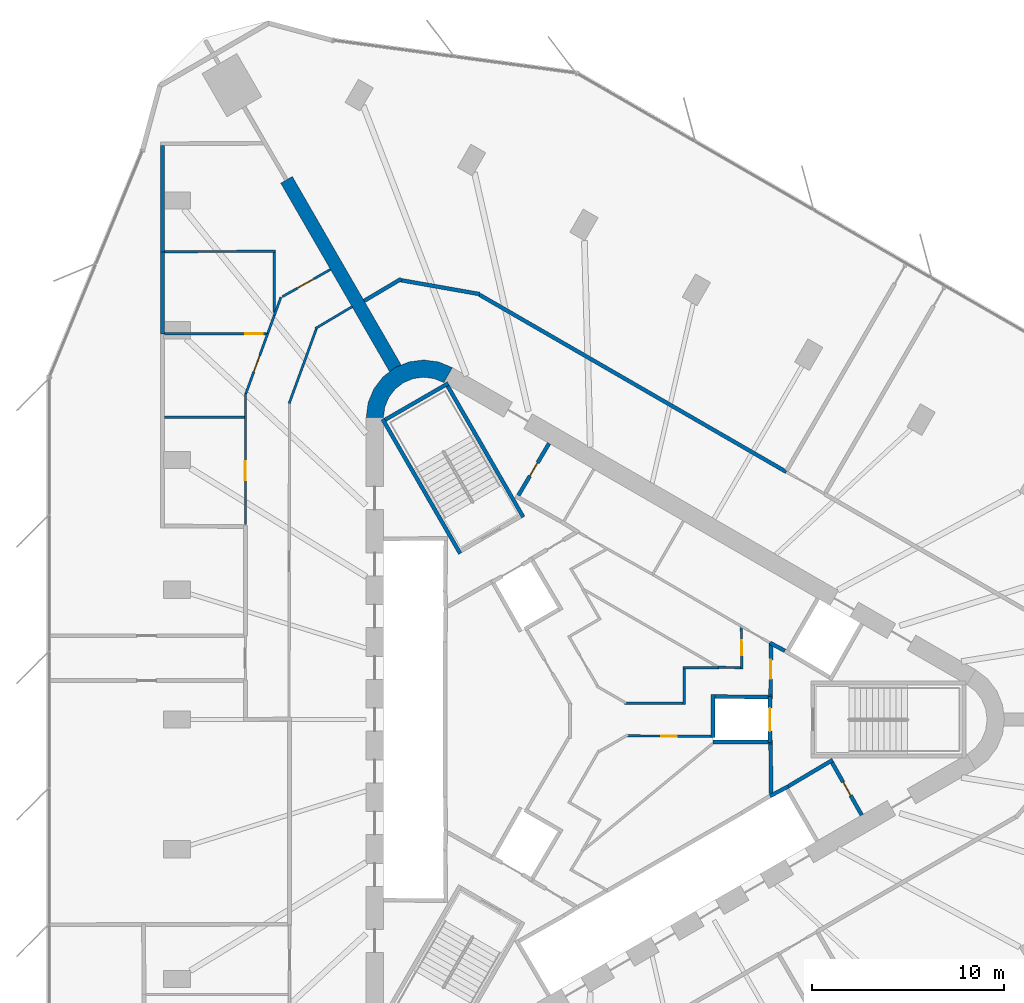
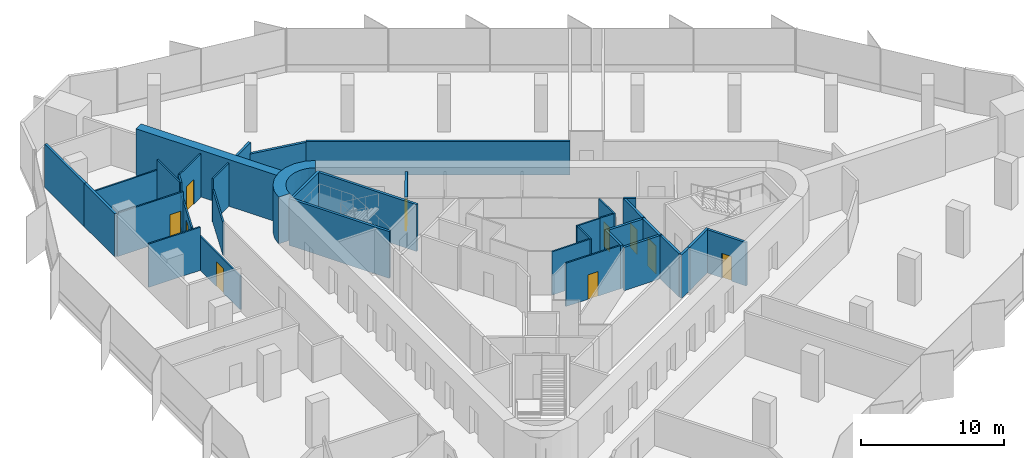
# One storey, part 11 of 14: 38 walls, 10 doors, 10 openings.
"""IFC4 building model written with IfcOpenShell, lengths in metres."""

import ifcopenshell
import ifcopenshell.guid

model = None  # the IFC model being written
_history = None  # IfcOwnerHistory: only IFC2X3 demands one
_inside = {}  # id of a spatial element -> (the spatial element, [elements in it])
_under = {}  # id of a project, library or spatial element -> (it, [spatial elements below it])
_declared = {}  # id of a project -> (the project, [libraries it declares])
_typed = {}  # id of a type object -> (the type object, [elements of that type])
_made_of = {}  # id of a material, layer set ... -> (it, [elements and type objects made of it])


def new_model(schema):
    """Start an empty IFC model of exactly this schema.

    Asked for "IFC4X3", IfcOpenShell would pick the latest addendum, in which some entities
    have other attributes; the version numbers below select the first issue.
    IFC2X3 requires an IfcOwnerHistory on every rooted entity: one is made here for all.
    """
    global model, _history
    if schema == "IFC4X3":
        model = ifcopenshell.file(schema_version=(4, 3, 0, 0))
    else:
        model = ifcopenshell.file(schema=schema)
    _inside.clear()
    _under.clear()
    _declared.clear()
    _typed.clear()
    _made_of.clear()
    _history = None
    if model.schema == "IFC2X3":
        org = make("IfcOrganization", Name="unknown")
        user = make(
            "IfcPersonAndOrganization",
            ThePerson=make("IfcPerson", FamilyName="unknown"),
            TheOrganization=org,
        )
        app = make(
            "IfcApplication",
            ApplicationDeveloper=org,
            Version="unknown",
            ApplicationFullName="unknown",
            ApplicationIdentifier="unknown",
        )
        _history = make(
            "IfcOwnerHistory",
            OwningUser=user,
            OwningApplication=app,
            ChangeAction="ADDED",
            CreationDate=0,
        )
    return model


def make(cls, **values):
    """One entity of the class cls with the attributes given. An attribute that is None is left unset."""
    return model.create_entity(
        cls, **{name: value for name, value in values.items() if value is not None}
    )


def rooted(cls, **values):
    """An entity with a GlobalId (a new one), such as an element, a storey or a relation."""
    return make(cls, GlobalId=ifcopenshell.guid.new(), OwnerHistory=_history, **values)


def si_unit(unit_type, name, prefix=None):
    """IfcSIUnit, for example si_unit("LENGTHUNIT", "METRE", prefix="MILLI")."""
    return make("IfcSIUnit", UnitType=unit_type, Prefix=prefix, Name=name)


def assignment(units):
    """IfcUnitAssignment: the units of a project."""
    return None if units is None else make("IfcUnitAssignment", Units=units)


def point(xyz):
    """IfcCartesianPoint."""
    return None if xyz is None else make("IfcCartesianPoint", Coordinates=xyz)


def direction(xyz):
    """IfcDirection."""
    return None if xyz is None else make("IfcDirection", DirectionRatios=xyz)


def frame(location, z_axis=None, x_axis=None):
    """IfcAxis2Placement3D, a coordinate frame: its origin and axes. An axis left out is left unset."""
    return make(
        "IfcAxis2Placement3D",
        Location=point(location),
        Axis=direction(z_axis),
        RefDirection=direction(x_axis),
    )


def frame_2d(location, x_axis=None):
    """IfcAxis2Placement2D, a coordinate frame in the plane: its origin and x axis."""
    return make(
        "IfcAxis2Placement2D", Location=point(location), RefDirection=direction(x_axis)
    )


def origin():
    """The frame at (0, 0, 0) with its axes left unset."""
    return frame((0.0, 0.0, 0.0))


def place(relative_to, where):
    """IfcLocalPlacement: puts the frame where relative to a parent placement (None: the world)."""
    return make(
        "IfcLocalPlacement", PlacementRelTo=relative_to, RelativePlacement=where
    )


def context(
    kind, dimensions, precision=None, world=None, true_north=None, identifier=None
):
    """IfcGeometricRepresentationContext, for example the 3D "Model" context."""
    return make(
        "IfcGeometricRepresentationContext",
        ContextIdentifier=identifier,
        ContextType=kind,
        CoordinateSpaceDimension=dimensions,
        Precision=precision,
        WorldCoordinateSystem=world,
        TrueNorth=true_north,
    )


def subcontext(parent, identifier, kind, view, scale=None):
    """IfcGeometricRepresentationSubContext, for example "Body" below "Model"."""
    return make(
        "IfcGeometricRepresentationSubContext",
        ContextIdentifier=identifier,
        ContextType=kind,
        ParentContext=parent,
        TargetScale=scale,
        TargetView=view,
    )


def project(units=None, contexts=None):
    """IfcProject with its units and contexts."""
    return rooted(
        "IfcProject",
        Name="project",
        RepresentationContexts=contexts,
        UnitsInContext=assignment(units),
    )


def spatial(cls, under=None, at=None, **own):
    """A site, building, storey or space (cls), placed at a placement, below another one or the project."""
    s = rooted(cls, ObjectPlacement=at, **own)
    if under is not None:
        _under.setdefault(under.id(), (under, []))[1].append(s)
    return s


def polyline(points):
    """IfcPolyline through the points."""
    return make("IfcPolyline", Points=[point(p) for p in points])


def profile(cls, at=None, kind="AREA", **sizes):
    """A parametric profile (cls). Its sizes go by their IFC names, for example OverallWidth=200.0."""
    return make(cls, ProfileType=kind, Position=at, **sizes)


def rectangle(**sizes):
    """IfcRectangleProfileDef."""
    return profile("IfcRectangleProfileDef", **sizes)


def outline(outer, holes=None, kind="AREA"):
    """IfcArbitraryClosedProfileDef: a profile drawn as a closed curve; with holes, ...WithVoids."""
    if holes is None:
        return make("IfcArbitraryClosedProfileDef", ProfileType=kind, OuterCurve=outer)
    return make(
        "IfcArbitraryProfileDefWithVoids",
        ProfileType=kind,
        OuterCurve=outer,
        InnerCurves=holes,
    )


def extrude(swept, where, along, depth):
    """IfcExtrudedAreaSolid: the profile swept, set in the frame where, extruded along a direction by depth."""
    return make(
        "IfcExtrudedAreaSolid",
        SweptArea=swept,
        Position=where,
        ExtrudedDirection=direction(along),
        Depth=depth,
    )


def shape(context_of_items, identifier, shape_type, items):
    """IfcShapeRepresentation: the items that make up one representation, for example the "Body"."""
    return make(
        "IfcShapeRepresentation",
        ContextOfItems=context_of_items,
        RepresentationIdentifier=identifier,
        RepresentationType=shape_type,
        Items=items,
    )


def material(Name=None, Category=None):
    """IfcMaterial."""
    return make("IfcMaterial", Name=Name, Category=Category)


def layer(
    of_material, thickness, ventilated=None, Name=None, Category=None, Priority=None
):
    """IfcMaterialLayer: one layer of a wall or slab, of a material (None: an air gap)."""
    return make(
        "IfcMaterialLayer",
        Material=of_material,
        LayerThickness=thickness,
        IsVentilated=ventilated,
        Name=Name,
        Category=Category,
        Priority=Priority,
    )


def layer_set(layers, Name=None):
    """IfcMaterialLayerSet."""
    return make("IfcMaterialLayerSet", MaterialLayers=layers, LayerSetName=Name)


def made_of(thing, what):
    """Note that an element or type object is made of a material, layer set ...; save() writes the relation."""
    if what is not None:
        _made_of.setdefault(what.id(), (what, []))[1].append(thing)
    return thing


def type_object(cls, material=None, **own):
    """A type object (cls), such as IfcWallType, which elements share."""
    return made_of(rooted(cls, **own), material)


def element(
    cls,
    number,
    at=None,
    inside=None,
    cuts=None,
    type_object=None,
    material=None,
    context=None,
    identifier="Body",
    shape_type=None,
    held_by="IfcProductDefinitionShape",
    body=None,
    shapes=None,
    **own,
):
    """One element of the class cls, such as IfcWall. Its Tag is "e" and its number.

    at: its placement. inside: the storey or other place that contains it. cuts: it is an
    opening in that element (IfcRelVoidsElement). A single representation is given by context,
    identifier, shape_type and body (its items); several are given by shapes. held_by: the class
    of the entity that holds the representations. save() writes the other relations.
    """
    e = rooted(cls, Tag="e%d" % number, ObjectPlacement=at, **own)
    if body is not None:
        shapes = [shape(context, identifier, shape_type, body)]
    if shapes is not None:
        e.Representation = make(held_by, Representations=shapes)
    if inside is not None:
        _inside.setdefault(inside.id(), (inside, []))[1].append(e)
    if cuts is not None:
        rooted(
            "IfcRelVoidsElement", RelatingBuildingElement=cuts, RelatedOpeningElement=e
        )
    if type_object is not None:
        _typed.setdefault(type_object.id(), (type_object, []))[1].append(e)
    return made_of(e, material)


def fill(opening, filler):
    """IfcRelFillsElement: the door or window that sits in an opening."""
    return rooted(
        "IfcRelFillsElement",
        RelatingOpeningElement=opening,
        RelatedBuildingElement=filler,
    )


def aggregate(whole, parts):
    """IfcRelAggregates: a whole, such as a stair, and the parts it consists of."""
    return rooted("IfcRelAggregates", RelatingObject=whole, RelatedObjects=parts)


def save(model, path):
    """Write the relations noted so far, then the file.

    IfcRelAggregates (storeys below a building ...), IfcRelContainedInSpatialStructure (elements
    in a storey), IfcRelDefinesByType, IfcRelAssociatesMaterial and IfcRelDeclares: one each for
    every whole, place, type object, material and project.
    """
    for whole, parts in _under.values():
        aggregate(whole, parts)
    for where, things in _inside.values():
        rooted(
            "IfcRelContainedInSpatialStructure",
            RelatedElements=things,
            RelatingStructure=where,
        )
    for kind, things in _typed.values():
        rooted("IfcRelDefinesByType", RelatedObjects=things, RelatingType=kind)
    for what, things in _made_of.values():
        rooted("IfcRelAssociatesMaterial", RelatedObjects=things, RelatingMaterial=what)
    for by, libraries in _declared.values():
        rooted("IfcRelDeclares", RelatingContext=by, RelatedDefinitions=libraries)
    model.write(path)


model = new_model("IFC4")

# Units and contexts
model_context = context("Model", 3, precision=1e-05, world=origin(), true_north=direction((0.0, 1.0)))
body_context = subcontext(model_context, "Body", "Model", "MODEL_VIEW")
ifc_project = project(units=[si_unit("LENGTHUNIT", "METRE"), si_unit("AREAUNIT", "SQUARE_METRE"), si_unit("VOLUMEUNIT", "CUBIC_METRE"), si_unit("PLANEANGLEUNIT", "RADIAN"), si_unit("MASSUNIT", "GRAM", prefix="KILO")], contexts=[model_context])

# Site, building, storey
site_placement = place(None, origin())
site = spatial("IfcSite", under=ifc_project, at=site_placement, CompositionType="ELEMENT")
building_placement = place(site_placement, origin())
building = spatial("IfcBuilding", under=site, at=building_placement, Name="Tanit Gate Tower", CompositionType="ELEMENT")
storey_placement = place(building_placement, frame((0.0, 0.0, 233.199951171875)))
storey = spatial("IfcBuildingStorey", under=building, at=storey_placement, Name="L52", CompositionType="ELEMENT", Elevation=233.199951171875)

# Walls
ifc_material_1 = material(Name="Concrete C50/60", Category="concrete")
ifc_layer_1 = layer(ifc_material_1, 0.699951171875)
ifc_layer_set_1 = layer_set([ifc_layer_1], Name="BUTTRESS FIN 700 C50/60")
wall_type_1 = type_object("IfcWallType", Name="BUTTRESS FIN 700 C50/60", PredefinedType="SHEAR", material=ifc_layer_set_1)
wall_1_placement = place(storey_placement, frame((-10.574951171875, 18.31640625, 0.0), z_axis=(0.0, 0.0, 1.0), x_axis=(-0.499996344484, 0.866027514288, 0.0)))
element("IfcWall", 1, at=wall_1_placement, inside=storey, type_object=wall_type_1, Name="BUTTRESS FIN", PredefinedType="SHEAR", context=body_context, shape_type="SweptSolid", body=[
    extrude(rectangle(XDim=11.3681640625, YDim=0.699951171875, at=frame_2d((5.68408203125, 0.0))), origin(), (0.0, 0.0, 1.0), 4.0),
])
ifc_material_2 = material(Name="Concrete C50/60", Category="concrete")
ifc_layer_2 = layer(ifc_material_2, 0.89990234375)
ifc_layer_set_2 = layer_set([ifc_layer_2], Name="CORE WALL 900 C50/60")
wall_type_2 = type_object("IfcWallType", Name="CORE WALL 900 C50/60", PredefinedType="SHEAR", material=ifc_layer_set_2)
wall_2_placement = place(storey_placement, origin())
element("IfcWall", 2, at=wall_2_placement, inside=storey, type_object=wall_type_2, Name="CORE WALL CORNER", PredefinedType="SHEAR", context=body_context, shape_type="SweptSolid", body=[
    extrude(outline(polyline([(-7.60009765625, 18.359619140625), (-8.323486328125, 18.659423828125), (-9.10009765625, 18.76171875), (-9.87646484375, 18.659423828125), (-10.60009765625, 18.359619140625), (-11.22119140625, 17.883056640625), (-11.697998046875, 17.26171875), (-11.997802734375, 16.5380859375), (-12.10009765625, 15.76171875), (-11.199951171875, 15.76171875), (-11.12841796875, 16.30517578125), (-10.918701171875, 16.811767578125), (-10.5849609375, 17.24658203125), (-10.14990234375, 17.580322265625), (-9.6435546875, 17.7900390625), (-9.10009765625, 17.86181640625), (-8.556396484375, 17.7900390625), (-8.050048828125, 17.580322265625), (-7.60009765625, 18.359619140625)])), origin(), (0.0, 0.0, 1.0), 4.0),
])
ifc_material_3 = material(Name="Fire-rated gypsum board partition")
ifc_layer_3 = layer(ifc_material_3, 0.199951171875)
ifc_layer_set_3 = layer_set([ifc_layer_3], Name="INT-WALL-COMPARTMENT")
wall_type_3 = type_object("IfcWallType", Name="INT-WALL-COMPARTMENT", PredefinedType="PARTITIONING", material=ifc_layer_set_3)
wall_3_placement = place(storey_placement, frame((8.97412109375, 3.998779296875, 0.0), z_axis=(0.0, 0.0, 1.0), x_axis=(0.880917147855, -0.473270513147, 0.0)))
element("IfcWall", 3, at=wall_3_placement, inside=storey, type_object=wall_type_3, Name="Wall Compartment W050", PredefinedType="PARTITIONING", context=body_context, shape_type="SweptSolid", body=[
    extrude(rectangle(XDim=0.8779296875, YDim=0.199951171875, at=frame_2d((0.43896484375, 0.0))), origin(), (0.0, 0.0, 1.0), 3.699951171875),
])

# Wall, opening, door
wall_4_placement = place(storey_placement, frame((-2.557861328125, 14.409423828125, 0.0), z_axis=(0.0, 0.0, 1.0), x_axis=(-0.508018930956, -0.861345903683, 0.0)))
wall_4 = element("IfcWall", 4, at=wall_4_placement, inside=storey, type_object=wall_type_3, Name="Wall Compartment W058", PredefinedType="PARTITIONING", context=body_context, shape_type="SweptSolid", body=[
    extrude(rectangle(XDim=3.150146484375, YDim=0.199951171875, at=frame_2d((1.5751953125, 0.0))), origin(), (0.0, 0.0, 1.0), 3.699951171875),
])
opening_1_placement = place(wall_4_placement, frame((1.175048828125, 0.0, 0.0)))
opening_1 = element("IfcOpeningElement", 5, at=opening_1_placement, cuts=wall_4, Name="Opening R08-S14-17", PredefinedType="OPENING", context=body_context, shape_type="SweptSolid", body=[
    extrude(rectangle(XDim=0.800048828125, YDim=2.10009765625, at=frame_2d((0.39990234375, 1.050048828125))), frame((0.0, 0.10986328125, 0.0), z_axis=(0.0, -1.0, 0.0), x_axis=(1.0, 0.0, 0.0)), (0.0, 0.0, 1.0), 0.219970703125),
])
ifc_material_4 = material(Name="Timber door leaf", Category="wood")
door_type_1 = type_object("IfcDoorType", Name="INT-DOOR-RISER-800", OperationType="NOTDEFINED", PredefinedType="USERDEFINED", material=ifc_material_4)
door_1_placement = place(opening_1_placement, origin())
door_1 = element("IfcDoor", 6, at=door_1_placement, inside=storey, type_object=door_type_1, Name="Door R08-S14-17", ObjectType="FIRE DOOR", OperationType="SINGLE_SWING_RIGHT", OverallHeight=2.10009765625, OverallWidth=0.800048828125, PredefinedType="USERDEFINED", context=body_context, shape_type="SweptSolid", body=[
    extrude(rectangle(XDim=0.800048828125, YDim=2.10009765625, at=frame_2d((0.39990234375, 1.050048828125))), frame((0.0, 0.02490234375, 0.0), z_axis=(0.0, -1.0, 0.0), x_axis=(1.0, 0.0, 0.0)), (0.0, 0.0, 1.0), 0.050048828125),
])
fill(opening_1, door_1)

# Wall
wall_5_placement = place(storey_placement, frame((12.244873046875, -2.10888671875, 0.0), z_axis=(0.0, 0.0, 1.0), x_axis=(-0.860414880418, -0.509594185166, 0.0)))
element("IfcWall", 7, at=wall_5_placement, inside=storey, type_object=wall_type_3, Name="Wall Compartment W059", PredefinedType="PARTITIONING", context=body_context, shape_type="SweptSolid", body=[
    extrude(rectangle(XDim=2.7001953125, YDim=0.199951171875, at=frame_2d((1.35009765625, 0.0))), origin(), (0.0, 0.0, 1.0), 3.699951171875),
])

# Wall, opening, door
wall_6_placement = place(storey_placement, frame((13.758056640625, -4.989501953125, 0.0), z_axis=(0.0, 0.0, 1.0), x_axis=(-0.491993409184, 0.87059892334, 0.0)))
wall_6 = element("IfcWall", 8, at=wall_6_placement, inside=storey, type_object=wall_type_3, Name="Wall Compartment W060", PredefinedType="PARTITIONING", context=body_context, shape_type="SweptSolid", body=[
    extrude(rectangle(XDim=3.150146484375, YDim=0.199951171875, at=frame_2d((1.5751953125, 0.0))), origin(), (0.0, 0.0, 1.0), 3.699951171875),
])
opening_2_placement = place(wall_6_placement, frame((1.175048828125, 0.0, 0.0)))
opening_2 = element("IfcOpeningElement", 9, at=opening_2_placement, cuts=wall_6, Name="Opening R08-S14-18", PredefinedType="OPENING", context=body_context, shape_type="SweptSolid", body=[
    extrude(rectangle(XDim=0.800048828125, YDim=2.10009765625, at=frame_2d((0.39990234375, 1.050048828125))), frame((0.0, 0.10986328125, 0.0), z_axis=(0.0, -1.0, 0.0), x_axis=(1.0, 0.0, 0.0)), (0.0, 0.0, 1.0), 0.219970703125),
])
door_2_placement = place(opening_2_placement, origin())
door_2 = element("IfcDoor", 10, at=door_2_placement, inside=storey, type_object=door_type_1, Name="Door R08-S14-18", ObjectType="FIRE DOOR", OperationType="SINGLE_SWING_RIGHT", OverallHeight=2.10009765625, OverallWidth=0.800048828125, PredefinedType="USERDEFINED", context=body_context, shape_type="SweptSolid", body=[
    extrude(rectangle(XDim=0.800048828125, YDim=2.10009765625, at=frame_2d((0.39990234375, 1.050048828125))), frame((0.0, 0.02490234375, 0.0), z_axis=(0.0, -1.0, 0.0), x_axis=(1.0, 0.0, 0.0)), (0.0, 0.0, 1.0), 0.050048828125),
])
fill(opening_2, door_2)

# Wall
wall_7_placement = place(storey_placement, frame((9.02880859375, -3.8505859375, 0.0), z_axis=(0.0, 0.0, 1.0), x_axis=(-0.010784614026, 0.999941844359, 0.0)))
element("IfcWall", 11, at=wall_7_placement, inside=storey, type_object=wall_type_3, Name="Wall Compartment W061", PredefinedType="PARTITIONING", context=body_context, shape_type="SweptSolid", body=[
    extrude(rectangle(XDim=2.580810546875, YDim=0.199951171875, at=frame_2d((1.29052734375, 0.0))), origin(), (0.0, 0.0, 1.0), 3.699951171875),
])

# Wall, opening, door
wall_8_placement = place(storey_placement, frame((9.0009765625, 1.27001953125, 0.0), z_axis=(0.0, 0.0, 1.0), x_axis=(0.010723968736, 0.999942496594, 0.0)))
wall_8 = element("IfcWall", 12, at=wall_8_placement, inside=storey, type_object=wall_type_3, Name="Wall Compartment W062", PredefinedType="PARTITIONING", context=body_context, shape_type="SweptSolid", body=[
    extrude(rectangle(XDim=2.709228515625, YDim=0.199951171875, at=frame_2d((1.3544921875, 0.0))), origin(), (0.0, 0.0, 1.0), 3.699951171875),
])
opening_3_placement = place(wall_8_placement, frame((0.848388671875, 0.0, 0.0)))
opening_3 = element("IfcOpeningElement", 13, at=opening_3_placement, cuts=wall_8, Name="Opening F10-S14-02", PredefinedType="OPENING", context=body_context, shape_type="SweptSolid", body=[
    extrude(rectangle(XDim=1.0, YDim=2.10009765625, at=frame_2d((0.5, 1.050048828125))), frame((0.0, 0.10986328125, 0.0), z_axis=(0.0, -1.0, 0.0), x_axis=(1.0, 0.0, 0.0)), (0.0, 0.0, 1.0), 0.219970703125),
])
ifc_material_5 = material(Name="Fire-rated steel door leaf", Category="steel")
door_type_2 = type_object("IfcDoorType", Name="INT-DOOR-FIRE-1000", OperationType="NOTDEFINED", PredefinedType="USERDEFINED", material=ifc_material_5)
door_3_placement = place(opening_3_placement, origin())
door_3 = element("IfcDoor", 14, at=door_3_placement, inside=storey, type_object=door_type_2, Name="Door F10-S14-02", ObjectType="FIRE DOOR", OperationType="SINGLE_SWING_RIGHT", OverallHeight=2.10009765625, OverallWidth=1.0, PredefinedType="USERDEFINED", context=body_context, shape_type="SweptSolid", body=[
    extrude(rectangle(XDim=1.0, YDim=2.10009765625, at=frame_2d((0.5, 1.050048828125))), frame((0.0, 0.02490234375, 0.0), z_axis=(0.0, -1.0, 0.0), x_axis=(1.0, 0.0, 0.0)), (0.0, 0.0, 1.0), 0.050048828125),
])
fill(opening_3, door_3)

# Walls
wall_9_placement = place(storey_placement, frame((-10.26513671875, 22.995849609375, 0.0), z_axis=(0.0, 0.0, 1.0), x_axis=(-0.859934823121, -0.510403859687, 0.0)))
element("IfcWall", 15, at=wall_9_placement, inside=storey, type_object=wall_type_3, Name="Wall Compartment W109", PredefinedType="PARTITIONING", context=body_context, shape_type="SweptSolid", body=[
    extrude(rectangle(XDim=2.25830078125, YDim=0.199951171875, at=frame_2d((1.129150390625, 0.0))), origin(), (0.0, 0.0, 1.0), 3.699951171875),
])
wall_10_placement = place(storey_placement, frame((-6.18115234375, 22.19873046875, 0.0), z_axis=(0.0, 0.0, 1.0), x_axis=(-0.984807544765, 0.17364935869, 0.0)))
element("IfcWall", 16, at=wall_10_placement, inside=storey, type_object=wall_type_3, Name="Wall Compartment W110", PredefinedType="PARTITIONING", context=body_context, shape_type="SweptSolid", body=[
    extrude(rectangle(XDim=4.199462890625, YDim=0.199951171875, at=frame_2d((2.099609375, 0.0))), origin(), (0.0, 0.0, 1.0), 2.780029296875),
])
wall_11_placement = place(storey_placement, frame((9.825439453125, 12.91796875, 0.0), z_axis=(0.0, 0.0, 1.0), x_axis=(-0.866022708987, 0.500004667497, 0.0)))
element("IfcWall", 17, at=wall_11_placement, inside=storey, type_object=wall_type_3, Name="Wall Compartment W111", PredefinedType="PARTITIONING", context=body_context, shape_type="SweptSolid", body=[
    extrude(rectangle(XDim=18.496337890625, YDim=0.199951171875, at=frame_2d((9.248046875, 0.0))), origin(), (0.0, 0.0, 1.0), 2.880126953125),
])
wall_12_placement = place(storey_placement, frame((-22.72998046875, 20.124267578125, 0.0), z_axis=(0.0, 0.0, 1.0), x_axis=(0.0, 1.0, 0.0)))
element("IfcWall", 18, at=wall_12_placement, inside=storey, type_object=wall_type_3, Name="Wall Compartment W142", PredefinedType="PARTITIONING", context=body_context, shape_type="SweptSolid", body=[
    extrude(rectangle(XDim=4.2822265625, YDim=0.199951171875, at=frame_2d((2.14111328125, 0.0))), origin(), (0.0, 0.0, 1.0), 3.699951171875),
])
wall_13_placement = place(storey_placement, frame((-22.72998046875, 24.406494140625, 0.0), z_axis=(0.0, 0.0, 1.0), x_axis=(0.0, 1.0, 0.0)))
element("IfcWall", 19, at=wall_13_placement, inside=storey, type_object=wall_type_3, Name="Wall Compartment W144", PredefinedType="PARTITIONING", context=body_context, shape_type="SweptSolid", body=[
    extrude(rectangle(XDim=5.533447265625, YDim=0.199951171875, at=frame_2d((2.7666015625, 0.0))), origin(), (0.0, 0.0, 1.0), 3.699951171875),
])

# Wall, opening, door
ifc_material_6 = material(Name="Gypsum board partition")
ifc_layer_4 = layer(ifc_material_6, 0.1201171875)
ifc_layer_set_4 = layer_set([ifc_layer_4], Name="INT-WALL-PARTITION")
wall_type_4 = type_object("IfcWallType", Name="INT-WALL-PARTITION", PredefinedType="PARTITIONING", material=ifc_layer_set_4)
wall_14_placement = place(storey_placement, frame((5.89990234375, -0.87890625, 0.0), z_axis=(0.0, 0.0, 1.0), x_axis=(-0.999978650839, 0.006534360439, 0.0)))
wall_14 = element("IfcWall", 20, at=wall_14_placement, inside=storey, type_object=wall_type_4, Name="Wall Partition W077", PredefinedType="PARTITIONING", context=body_context, shape_type="SweptSolid", body=[
    extrude(rectangle(XDim=4.40869140625, YDim=0.1201171875, at=frame_2d((2.204345703125, 0.0))), origin(), (0.0, 0.0, 1.0), 3.699951171875),
])
opening_4_placement = place(wall_14_placement, frame((1.804443359375, 0.0, 0.0)))
opening_4 = element("IfcOpeningElement", 21, at=opening_4_placement, cuts=wall_14, Name="Opening R08-S14-12", PredefinedType="OPENING", context=body_context, shape_type="SweptSolid", body=[
    extrude(rectangle(XDim=0.800048828125, YDim=2.10009765625, at=frame_2d((0.39990234375, 1.050048828125))), frame((0.0, 0.070068359375, 0.0), z_axis=(0.0, -1.0, 0.0), x_axis=(1.0, 0.0, 0.0)), (0.0, 0.0, 1.0), 0.14013671875),
])
door_4_placement = place(opening_4_placement, origin())
door_4 = element("IfcDoor", 22, at=door_4_placement, inside=storey, type_object=door_type_1, Name="Door R08-S14-12", ObjectType="FIRE DOOR", OperationType="SINGLE_SWING_RIGHT", OverallHeight=2.10009765625, OverallWidth=0.800048828125, PredefinedType="USERDEFINED", context=body_context, shape_type="SweptSolid", body=[
    extrude(rectangle(XDim=0.800048828125, YDim=2.10009765625, at=frame_2d((0.39990234375, 1.050048828125))), frame((0.0, 0.02490234375, 0.0), z_axis=(0.0, -1.0, 0.0), x_axis=(1.0, 0.0, 0.0)), (0.0, 0.0, 1.0), 0.050048828125),
])
fill(opening_4, door_4)

wall_15_placement = place(storey_placement, frame((7.500732421875, 2.639892578125, 0.0), z_axis=(0.0, 0.0, 1.0), x_axis=(-0.01178388431, 0.999930567625, 0.0)))
wall_15 = element("IfcWall", 23, at=wall_15_placement, inside=storey, type_object=wall_type_4, Name="Wall Partition W081", PredefinedType="PARTITIONING", context=body_context, shape_type="SweptSolid", body=[
    extrude(rectangle(XDim=2.15478515625, YDim=0.1201171875, at=frame_2d((1.077392578125, 0.0))), origin(), (0.0, 0.0, 1.0), 3.699951171875),
])
opening_5_placement = place(wall_15_placement, frame((0.707275390625, 0.0, 0.0)))
opening_5 = element("IfcOpeningElement", 24, at=opening_5_placement, cuts=wall_15, Name="Opening R08-S14-13", PredefinedType="OPENING", context=body_context, shape_type="SweptSolid", body=[
    extrude(rectangle(XDim=0.800048828125, YDim=2.10009765625, at=frame_2d((0.39990234375, 1.050048828125))), frame((0.0, 0.070068359375, 0.0), z_axis=(0.0, -1.0, 0.0), x_axis=(1.0, 0.0, 0.0)), (0.0, 0.0, 1.0), 0.14013671875),
])
door_5_placement = place(opening_5_placement, origin())
door_5 = element("IfcDoor", 25, at=door_5_placement, inside=storey, type_object=door_type_1, Name="Door R08-S14-13", ObjectType="FIRE DOOR", OperationType="SINGLE_SWING_RIGHT", OverallHeight=2.10009765625, OverallWidth=0.800048828125, PredefinedType="USERDEFINED", context=body_context, shape_type="SweptSolid", body=[
    extrude(rectangle(XDim=0.800048828125, YDim=2.10009765625, at=frame_2d((0.39990234375, 1.050048828125))), frame((0.0, 0.02490234375, 0.0), z_axis=(0.0, -1.0, 0.0), x_axis=(1.0, 0.0, 0.0)), (0.0, 0.0, 1.0), 0.050048828125),
])
fill(opening_5, door_5)

# Walls
wall_16_placement = place(storey_placement, frame((6.249267578125, 2.7294921875, 0.0), z_axis=(0.0, 0.0, 1.0), x_axis=(0.999722106037, -0.023573516956, 0.0)))
element("IfcWall", 26, at=wall_16_placement, inside=storey, type_object=wall_type_4, Name="Wall Partition W082", PredefinedType="PARTITIONING", context=body_context, shape_type="SweptSolid", body=[
    extrude(rectangle(XDim=1.19091796875, YDim=0.1201171875, at=frame_2d((0.595458984375, 0.0))), origin(), (0.0, 0.0, 1.0), 3.699951171875),
])
wall_17_placement = place(storey_placement, frame((4.43994140625, 2.699951171875, 0.0), z_axis=(0.0, 0.0, 1.0), x_axis=(1.0, 0.0, 0.0)))
element("IfcWall", 27, at=wall_17_placement, inside=storey, type_object=wall_type_4, Name="Wall Partition W083", PredefinedType="PARTITIONING", context=body_context, shape_type="SweptSolid", body=[
    extrude(rectangle(XDim=1.8603515625, YDim=0.1201171875, at=frame_2d((0.93017578125, 0.0))), origin(), (0.0, 0.0, 1.0), 3.699951171875),
])
wall_18_placement = place(storey_placement, frame((4.5, 0.7900390625, 0.0), z_axis=(0.0, 0.0, 1.0), x_axis=(0.0, 1.0, 0.0)))
element("IfcWall", 28, at=wall_18_placement, inside=storey, type_object=wall_type_4, Name="Wall Partition W084", PredefinedType="PARTITIONING", context=body_context, shape_type="SweptSolid", body=[
    extrude(rectangle(XDim=1.849853515625, YDim=0.1201171875, at=frame_2d((0.9248046875, 0.0))), origin(), (0.0, 0.0, 1.0), 3.699951171875),
])
wall_19_placement = place(storey_placement, frame((1.368408203125, 0.85009765625, 0.0), z_axis=(0.0, 0.0, 1.0), x_axis=(1.0, 0.0, 0.0)))
element("IfcWall", 29, at=wall_19_placement, inside=storey, type_object=wall_type_4, Name="Wall Partition W085", PredefinedType="PARTITIONING", context=body_context, shape_type="SweptSolid", body=[
    extrude(rectangle(XDim=3.071533203125, YDim=0.1201171875, at=frame_2d((1.53564453125, 0.0))), origin(), (0.0, 0.0, 1.0), 3.699951171875),
])
wall_20_placement = place(storey_placement, frame((-12.839111328125, 21.5380859375, 0.0), z_axis=(0.0, 0.0, 1.0), x_axis=(-0.859953000024, -0.510373233771, 0.0)))
element("IfcWall", 30, at=wall_20_placement, inside=storey, type_object=wall_type_4, Name="Wall Partition W090", PredefinedType="PARTITIONING", context=body_context, shape_type="SweptSolid", body=[
    extrude(rectangle(XDim=2.21533203125, YDim=0.1201171875, at=frame_2d((1.107666015625, 0.0))), origin(), (0.0, 0.0, 1.0), 3.699951171875),
])
wall_21_placement = place(storey_placement, frame((-14.690673828125, 20.418701171875, 0.0), z_axis=(0.0, 0.0, 1.0), x_axis=(-0.342019678743, -0.93969278988, 0.0)))
element("IfcWall", 31, at=wall_21_placement, inside=storey, type_object=wall_type_4, Name="Wall Partition W091", PredefinedType="PARTITIONING", context=body_context, shape_type="SweptSolid", body=[
    extrude(rectangle(XDim=4.180908203125, YDim=0.1201171875, at=frame_2d((2.09033203125, 0.0))), origin(), (0.0, 0.0, 1.0), 2.780029296875),
])

# Wall, opening, door
wall_22_placement = place(storey_placement, frame((-18.39990234375, 17.011962890625, 0.0), z_axis=(0.0, 0.0, 1.0), x_axis=(0.0, -1.0, 0.0)))
wall_22 = element("IfcWall", 32, at=wall_22_placement, inside=storey, type_object=wall_type_4, Name="Wall Partition W098", PredefinedType="PARTITIONING", context=body_context, shape_type="SweptSolid", body=[
    extrude(rectangle(XDim=6.842041015625, YDim=0.1201171875, at=frame_2d((3.4208984375, 0.0))), origin(), (0.0, 0.0, 1.0), 2.880126953125),
])
opening_6_placement = place(wall_22_placement, frame((3.538818359375, 0.0, 0.0)))
opening_6 = element("IfcOpeningElement", 33, at=opening_6_placement, cuts=wall_22, Name="Opening D10-S14-23", PredefinedType="OPENING", context=body_context, shape_type="SweptSolid", body=[
    extrude(rectangle(XDim=1.0, YDim=2.10009765625, at=frame_2d((0.5, 1.050048828125))), frame((0.0, 0.070068359375, 0.0), z_axis=(0.0, -1.0, 0.0), x_axis=(1.0, 0.0, 0.0)), (0.0, 0.0, 1.0), 0.14013671875),
])
ifc_material_7 = material(Name="Timber door leaf", Category="wood")
door_type_3 = type_object("IfcDoorType", Name="INT-DOOR-SINGLE-1000", OperationType="NOTDEFINED", PredefinedType="NOTDEFINED", material=ifc_material_7)
door_6_placement = place(opening_6_placement, origin())
door_6 = element("IfcDoor", 34, at=door_6_placement, inside=storey, type_object=door_type_3, Name="Door D10-S14-23", OperationType="SINGLE_SWING_RIGHT", OverallHeight=2.10009765625, OverallWidth=1.0, PredefinedType="NOTDEFINED", context=body_context, shape_type="SweptSolid", body=[
    extrude(rectangle(XDim=1.0, YDim=2.10009765625, at=frame_2d((0.5, 1.050048828125))), frame((0.0, 0.02490234375, 0.0), z_axis=(0.0, -1.0, 0.0), x_axis=(1.0, 0.0, 0.0)), (0.0, 0.0, 1.0), 0.050048828125),
])
fill(opening_6, door_6)

# Walls
wall_23_placement = place(storey_placement, frame((-16.548583984375, 22.038818359375, 0.0), z_axis=(0.0, 0.0, 1.0), x_axis=(-0.34206932631, -0.939674718186, 0.0)))
element("IfcWall", 35, at=wall_23_placement, inside=storey, type_object=wall_type_4, Name="Wall Partition W101", PredefinedType="PARTITIONING", context=body_context, shape_type="SweptSolid", body=[
    extrude(rectangle(XDim=1.021240234375, YDim=0.1201171875, at=frame_2d((0.5107421875, 0.0))), origin(), (0.0, 0.0, 1.0), 3.699951171875),
])
wall_24_placement = place(storey_placement, frame((-16.89794921875, 21.0791015625, 0.0), z_axis=(0.0, 0.0, 1.0), x_axis=(-0.341879433665, -0.939743822984, 0.0)))
element("IfcWall", 36, at=wall_24_placement, inside=storey, type_object=wall_type_4, Name="Wall Partition W100", PredefinedType="PARTITIONING", context=body_context, shape_type="SweptSolid", body=[
    extrude(rectangle(XDim=1.006103515625, YDim=0.1201171875, at=frame_2d((0.5029296875, 0.0))), origin(), (0.0, 0.0, 1.0), 2.780029296875),
])

# Wall, opening, door
wall_25_placement = place(storey_placement, frame((-17.241943359375, 20.133544921875, 0.0), z_axis=(0.0, 0.0, 1.0), x_axis=(-0.34200828308, -0.939696937478, 0.0)))
wall_25 = element("IfcWall", 37, at=wall_25_placement, inside=storey, type_object=wall_type_4, Name="Wall Partition W099", PredefinedType="PARTITIONING", context=body_context, shape_type="SweptSolid", body=[
    extrude(rectangle(XDim=3.32568359375, YDim=0.1201171875, at=frame_2d((1.662841796875, 0.0))), origin(), (0.0, 0.0, 1.0), 2.880126953125),
])
opening_7_placement = place(wall_25_placement, frame((1.212890625, 0.0, 0.0)))
opening_7 = element("IfcOpeningElement", 38, at=opening_7_placement, cuts=wall_25, Name="Opening D09-S14-24", PredefinedType="OPENING", context=body_context, shape_type="SweptSolid", body=[
    extrude(rectangle(XDim=0.89990234375, YDim=2.10009765625, at=frame_2d((0.449951171875, 1.050048828125))), frame((0.0, 0.070068359375, 0.0), z_axis=(0.0, -1.0, 0.0), x_axis=(1.0, 0.0, 0.0)), (0.0, 0.0, 1.0), 0.14013671875),
])
ifc_material_8 = material(Name="Timber door leaf", Category="wood")
door_type_4 = type_object("IfcDoorType", Name="INT-DOOR-SINGLE-900", OperationType="NOTDEFINED", PredefinedType="NOTDEFINED", material=ifc_material_8)
door_7_placement = place(opening_7_placement, origin())
door_7 = element("IfcDoor", 39, at=door_7_placement, inside=storey, type_object=door_type_4, Name="Door D09-S14-24", OperationType="SINGLE_SWING_RIGHT", OverallHeight=2.10009765625, OverallWidth=0.89990234375, PredefinedType="NOTDEFINED", context=body_context, shape_type="SweptSolid", body=[
    extrude(rectangle(XDim=0.89990234375, YDim=2.10009765625, at=frame_2d((0.449951171875, 1.050048828125))), frame((0.0, 0.02490234375, 0.0), z_axis=(0.0, -1.0, 0.0), x_axis=(1.0, 0.0, 0.0)), (0.0, 0.0, 1.0), 0.050048828125),
])
fill(opening_7, door_7)

wall_26_placement = place(storey_placement, frame((-13.962890625, 23.484375, 0.0), z_axis=(0.0, 0.0, 1.0), x_axis=(-0.870462007122, -0.49223560838, 0.0)))
wall_26 = element("IfcWall", 40, at=wall_26_placement, inside=storey, type_object=wall_type_4, Name="Wall Partition W102", PredefinedType="PARTITIONING", context=body_context, shape_type="SweptSolid", body=[
    extrude(rectangle(XDim=2.88671875, YDim=0.1201171875, at=frame_2d((1.443359375, 0.0))), origin(), (0.0, 0.0, 1.0), 3.699951171875),
])
opening_8_placement = place(wall_26_placement, frame((0.993408203125, 0.0, 0.0)))
opening_8 = element("IfcOpeningElement", 41, at=opening_8_placement, cuts=wall_26, Name="Opening D10-S14-26", PredefinedType="OPENING", context=body_context, shape_type="SweptSolid", body=[
    extrude(rectangle(XDim=1.0, YDim=2.10009765625, at=frame_2d((0.5, 1.050048828125))), frame((0.0, 0.070068359375, 0.0), z_axis=(0.0, -1.0, 0.0), x_axis=(1.0, 0.0, 0.0)), (0.0, 0.0, 1.0), 0.14013671875),
])
door_8_placement = place(opening_8_placement, origin())
door_8 = element("IfcDoor", 42, at=door_8_placement, inside=storey, type_object=door_type_3, Name="Door D10-S14-26", OperationType="SINGLE_SWING_LEFT", OverallHeight=2.10009765625, OverallWidth=1.0, PredefinedType="NOTDEFINED", context=body_context, shape_type="SweptSolid", body=[
    extrude(rectangle(XDim=1.0, YDim=2.10009765625, at=frame_2d((0.5, 1.050048828125))), frame((0.0, 0.02490234375, 0.0), z_axis=(0.0, -1.0, 0.0), x_axis=(1.0, 0.0, 0.0)), (0.0, 0.0, 1.0), 0.050048828125),
])
fill(opening_8, door_8)

# Wall
wall_27_placement = place(storey_placement, frame((-18.4599609375, 15.7763671875, 0.0), z_axis=(0.0, 0.0, 1.0), x_axis=(-1.0, 0.0, 0.0)))
element("IfcWall", 43, at=wall_27_placement, inside=storey, type_object=wall_type_4, Name="Wall Partition W153", PredefinedType="PARTITIONING", context=body_context, shape_type="SweptSolid", body=[
    extrude(rectangle(XDim=4.169921875, YDim=0.1201171875, at=frame_2d((2.0849609375, 0.0))), origin(), (0.0, 0.0, 1.0), 3.699951171875),
])

# Wall, opening, door
wall_28_placement = place(storey_placement, frame((-22.6298828125, 20.124267578125, 0.0), z_axis=(0.0, 0.0, 1.0), x_axis=(1.0, 0.0, 0.0)))
wall_28 = element("IfcWall", 44, at=wall_28_placement, inside=storey, type_object=wall_type_4, Name="Wall Partition W154", PredefinedType="PARTITIONING", context=body_context, shape_type="SweptSolid", body=[
    extrude(rectangle(XDim=5.320556640625, YDim=0.1201171875, at=frame_2d((2.66015625, 0.0))), origin(), (0.0, 0.0, 1.0), 3.699951171875),
])
opening_9_placement = place(wall_28_placement, frame((4.220703125, 0.0, 0.0)))
opening_9 = element("IfcOpeningElement", 45, at=opening_9_placement, cuts=wall_28, Name="Opening D09-S14-25", PredefinedType="OPENING", context=body_context, shape_type="SweptSolid", body=[
    extrude(rectangle(XDim=0.89990234375, YDim=2.10009765625, at=frame_2d((0.449951171875, 1.050048828125))), frame((0.0, 0.070068359375, 0.0), z_axis=(0.0, -1.0, 0.0), x_axis=(1.0, 0.0, 0.0)), (0.0, 0.0, 1.0), 0.14013671875),
])
door_9_placement = place(opening_9_placement, origin())
door_9 = element("IfcDoor", 46, at=door_9_placement, inside=storey, type_object=door_type_4, Name="Door D09-S14-25", OperationType="SINGLE_SWING_LEFT", OverallHeight=2.10009765625, OverallWidth=0.89990234375, PredefinedType="NOTDEFINED", context=body_context, shape_type="SweptSolid", body=[
    extrude(rectangle(XDim=0.89990234375, YDim=2.10009765625, at=frame_2d((0.449951171875, 1.050048828125))), frame((0.0, 0.02490234375, 0.0), z_axis=(0.0, -1.0, 0.0), x_axis=(1.0, 0.0, 0.0)), (0.0, 0.0, 1.0), 0.050048828125),
])
fill(opening_9, door_9)

# Walls
wall_29_placement = place(storey_placement, frame((-22.6298828125, 24.406982421875, 0.0), z_axis=(0.0, 0.0, 1.0), x_axis=(0.999986767717, 0.005144355288, 0.0)))
element("IfcWall", 47, at=wall_29_placement, inside=storey, type_object=wall_type_4, Name="Wall Partition W155", PredefinedType="PARTITIONING", context=body_context, shape_type="SweptSolid", body=[
    extrude(rectangle(XDim=5.789794921875, YDim=0.1201171875, at=frame_2d((2.89501953125, 0.0))), origin(), (0.0, 0.0, 1.0), 2.780029296875),
])
wall_30_placement = place(storey_placement, frame((-16.90478515625, 21.23046875, 0.0), z_axis=(0.0, 0.0, 1.0), x_axis=(0.001474466813, 0.999998912973, 0.0)))
element("IfcWall", 48, at=wall_30_placement, inside=storey, type_object=wall_type_4, Name="Wall Partition W156", PredefinedType="PARTITIONING", context=body_context, shape_type="SweptSolid", body=[
    extrude(rectangle(XDim=3.14599609375, YDim=0.1201171875, at=frame_2d((1.572998046875, 0.0))), origin(), (0.0, 0.0, 1.0), 3.699951171875),
])
ifc_material_9 = material(Name="Gypsum shaft wall system")
ifc_layer_5 = layer(ifc_material_9, 0.199951171875)
ifc_layer_set_5 = layer_set([ifc_layer_5], Name="INT-WALL-SHAFT")
wall_type_5 = type_object("IfcWallType", Name="INT-WALL-SHAFT", PredefinedType="PLUMBINGWALL", material=ifc_layer_set_5)
wall_31_placement = place(storey_placement, frame((8.97412109375, -3.998779296875, 0.0), z_axis=(0.0, 0.0, 1.0), x_axis=(0.880907015104, 0.473289373154, 0.0)))
element("IfcWall", 49, at=wall_31_placement, inside=storey, type_object=wall_type_5, Name="Wall Shaft W017", PredefinedType="PLUMBINGWALL", context=body_context, shape_type="SweptSolid", body=[
    extrude(rectangle(XDim=1.078125, YDim=0.199951171875, at=frame_2d((0.5390625, 0.0))), origin(), (0.0, 0.0, 1.0), 3.699951171875),
])

# Wall, opening, door
wall_32_placement = place(storey_placement, frame((8.969970703125, 1.199951171875, 0.0), z_axis=(0.0, 0.0, 1.0), x_axis=(0.0, -1.0, 0.0)))
wall_32 = element("IfcWall", 50, at=wall_32_placement, inside=storey, type_object=wall_type_5, Name="Wall Shaft W029", PredefinedType="PLUMBINGWALL", context=body_context, shape_type="SweptSolid", body=[
    extrude(rectangle(XDim=2.39990234375, YDim=0.199951171875, at=frame_2d((1.199951171875, 0.0))), origin(), (0.0, 0.0, 1.0), 3.699951171875),
])
opening_10_placement = place(wall_32_placement, frame((0.60009765625, 0.0, 0.0)))
opening_10 = element("IfcOpeningElement", 51, at=opening_10_placement, cuts=wall_32, Name="Opening LDFL1-L52", PredefinedType="OPENING", context=body_context, shape_type="SweptSolid", body=[
    extrude(rectangle(XDim=1.199951171875, YDim=2.39990234375, at=frame_2d((0.60009765625, 1.199951171875))), frame((0.0, 0.10986328125, 0.0), z_axis=(0.0, -1.0, 0.0), x_axis=(1.0, 0.0, 0.0)), (0.0, 0.0, 1.0), 0.219970703125),
])
ifc_material_10 = material(Name="Stainless steel sliding door leaf", Category="steel")
door_type_5 = type_object("IfcDoorType", Name="INT-DOOR-LANDING-1200", OperationType="NOTDEFINED", PredefinedType="USERDEFINED", material=ifc_material_10)
door_10_placement = place(opening_10_placement, origin())
door_10 = element("IfcDoor", 52, at=door_10_placement, inside=storey, type_object=door_type_5, Name="Door LDFL1-L52", ObjectType="LANDING DOOR", OperationType="SLIDING_TO_LEFT", OverallHeight=2.39990234375, OverallWidth=1.199951171875, PredefinedType="USERDEFINED", context=body_context, shape_type="SweptSolid", body=[
    extrude(rectangle(XDim=1.199951171875, YDim=2.39990234375, at=frame_2d((0.60009765625, 1.199951171875))), frame((0.0, 0.02490234375, 0.0), z_axis=(0.0, -1.0, 0.0), x_axis=(1.0, 0.0, 0.0)), (0.0, 0.0, 1.0), 0.050048828125),
])
fill(opening_10, door_10)

# Walls
wall_33_placement = place(storey_placement, frame((9.10009765625, -1.169921875, 0.0), z_axis=(0.0, 0.0, 1.0), x_axis=(-0.999998759609, -0.001575049235, 0.0)))
element("IfcWall", 53, at=wall_33_placement, inside=storey, type_object=wall_type_5, Name="Wall Shaft W030", PredefinedType="PLUMBINGWALL", context=body_context, shape_type="SweptSolid", body=[
    extrude(rectangle(XDim=3.10009765625, YDim=0.199951171875, at=frame_2d((1.550048828125, 0.0))), origin(), (0.0, 0.0, 1.0), 3.699951171875),
])
wall_34_placement = place(storey_placement, frame((6.0, -0.939453125, 0.0), z_axis=(0.0, 0.0, 1.0), x_axis=(0.0, 1.0, 0.0)))
element("IfcWall", 54, at=wall_34_placement, inside=storey, type_object=wall_type_5, Name="Wall Shaft W031", PredefinedType="PLUMBINGWALL", context=body_context, shape_type="SweptSolid", body=[
    extrude(rectangle(XDim=2.239501953125, YDim=0.199951171875, at=frame_2d((1.11962890625, 0.0))), origin(), (0.0, 0.0, 1.0), 3.699951171875),
])
wall_35_placement = place(storey_placement, frame((9.10009765625, 1.1689453125, 0.0), z_axis=(0.0, 0.0, 1.0), x_axis=(-0.99994990606, 0.010009264196, 0.0)))
element("IfcWall", 55, at=wall_35_placement, inside=storey, type_object=wall_type_5, Name="Wall Shaft W032", PredefinedType="PLUMBINGWALL", context=body_context, shape_type="SweptSolid", body=[
    extrude(rectangle(XDim=3.000244140625, YDim=0.199951171875, at=frame_2d((1.5, 0.0))), origin(), (0.0, 0.0, 1.0), 3.699951171875),
])
ifc_material_11 = material(Name="Concrete C40/50", Category="concrete")
ifc_layer_6 = layer(ifc_material_11, 0.199951171875)
ifc_layer_set_6 = layer_set([ifc_layer_6], Name="INT-WALL-STAIR")
wall_type_6 = type_object("IfcWallType", Name="INT-WALL-STAIR", PredefinedType="SHEAR", material=ifc_layer_set_6)
wall_36_placement = place(storey_placement, frame((-11.245361328125, 15.677734375, -0.300048828125), z_axis=(0.0, 0.0, 1.0), x_axis=(0.499977274689, -0.866038523851, 0.0)))
element("IfcWall", 56, at=wall_36_placement, inside=storey, type_object=wall_type_6, Name="Wall Stair W033", PredefinedType="SHEAR", context=body_context, shape_type="SweptSolid", body=[
    extrude(rectangle(XDim=8.10009765625, YDim=0.199951171875, at=frame_2d((4.050048828125, 0.0))), origin(), (0.0, 0.0, 1.0), 4.0),
])
wall_37_placement = place(storey_placement, frame((-7.81787109375, 17.541015625, -0.300048828125), z_axis=(0.0, 0.0, 1.0), x_axis=(-0.866044365799, -0.499967155389, 0.0)))
element("IfcWall", 57, at=wall_37_placement, inside=storey, type_object=wall_type_6, Name="Wall Stair W034", PredefinedType="SHEAR", context=body_context, shape_type="SweptSolid", body=[
    extrude(rectangle(XDim=3.800048828125, YDim=0.199951171875, at=frame_2d((1.89990234375, 0.0))), origin(), (0.0, 0.0, 1.0), 4.0),
])
wall_38_placement = place(storey_placement, frame((-7.8544921875, 17.404541015625, -0.300048828125), z_axis=(0.0, 0.0, 1.0), x_axis=(0.499997992926, -0.866026562566, 0.0)))
element("IfcWall", 58, at=wall_38_placement, inside=storey, type_object=wall_type_6, Name="Wall Stair W035", PredefinedType="SHEAR", context=body_context, shape_type="SweptSolid", body=[
    extrude(rectangle(XDim=7.89990234375, YDim=0.199951171875, at=frame_2d((3.949951171875, 0.0))), origin(), (0.0, 0.0, 1.0), 4.0),
])

save(model, "model.ifc")
